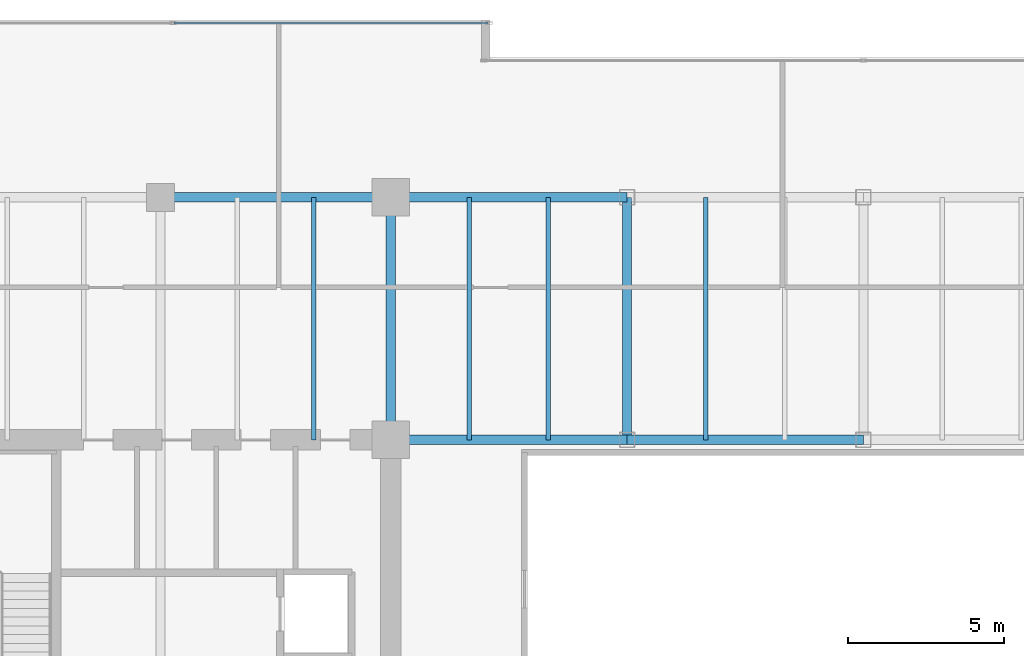
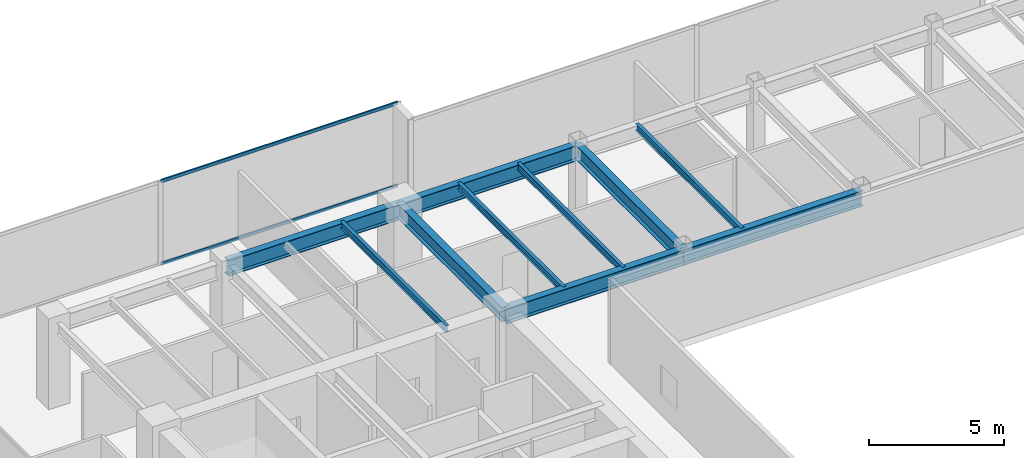
# One storey, part 15 of 30: 10 beams, 2 members, 1 element without a shape of its own.
"""IFC4 building model written with IfcOpenShell, lengths in metres."""

from ifc_helpers import new_model, si_unit, direction, frame, origin, origin_2d, place, context, subcontext, project, spatial, hollow_rectangle, i_section, extrude, source, transform, mapped, material, layer, layer_set, material_profile, profile_set, type_object, type_shapes, element, aggregate, save


model = new_model("IFC4")

# Units and contexts
model_context = context("Model", 3, precision=1e-05, world=origin(), true_north=direction((0.0, 1.0)))
body_context = subcontext(model_context, "Body", "Model", "MODEL_VIEW")
ifc_project = project(units=[si_unit("LENGTHUNIT", "METRE"), si_unit("AREAUNIT", "SQUARE_METRE"), si_unit("VOLUMEUNIT", "CUBIC_METRE"), si_unit("PLANEANGLEUNIT", "RADIAN"), si_unit("MASSUNIT", "GRAM", prefix="KILO")], contexts=[model_context])

# Site, building, storey
site_placement = place(None, origin())
site = spatial("IfcSite", under=ifc_project, at=site_placement, CompositionType="ELEMENT")
building_placement = place(site_placement, origin())
building = spatial("IfcBuilding", under=site, at=building_placement, Name="Haelvirn Gate Laboratories", CompositionType="ELEMENT")
storey_placement = place(building_placement, frame((0.0, 0.0, 121.5)))
storey = spatial("IfcBuildingStorey", under=building, at=storey_placement, Name="L29", CompositionType="ELEMENT", Elevation=121.5)

# Beams
ifc_material_1 = material(Name="Steel SM355", Category="steel")
ifc_material_profile_1 = material_profile(ifc_material_1, i_section(OverallWidth=0.300048828125, OverallDepth=0.64990234375, WebThickness=0.012939453125, FlangeThickness=0.02197265625, at=origin_2d()), Name="H-650x300x13x22")
ifc_profile_set_1 = profile_set([ifc_material_profile_1], Name="Steel SM355")
beam_type_1 = type_object("IfcBeamType", Name="BM-G-650", PredefinedType="BEAM", material=ifc_profile_set_1)
shared_shape_1 = source(origin(), body_context, "Body", "SweptSolid", [
    extrude(i_section(OverallWidth=0.300048828125, OverallDepth=0.64990234375, WebThickness=0.012939453125, FlangeThickness=0.02197265625, at=origin_2d()), origin(), (0.0, 0.0, 1.0), 7.800048828125),
])
type_shapes(beam_type_1, [shared_shape_1])
for number, where, z_axis, x_axis, name in (
    (1, (22.199951171875, 33.800048828125, 3.465087890625), (0.0, 1.0, 0.0), (-1.0, 0.0, 0.0), "L29 Frame Girder X22.2 (33.8-41.6)"),
    (2, (29.800048828125, 33.800048828125, 3.465087890625), (0.0, 1.0, 0.0), (-1.0, 0.0, 0.0), "L29 Frame Girder X29.8 (33.8-41.6)"),
):
    element("IfcBeam", number, at=place(storey_placement, frame(where, z_axis=z_axis, x_axis=x_axis)), inside=storey, type_object=beam_type_1, Name=name, PredefinedType="BEAM", context=body_context, shape_type="MappedRepresentation", body=[
        mapped(shared_shape_1, transform((0.0, 0.0, 0.0), scale=1.0)),
    ])
ifc_material_profile_2 = material_profile(ifc_material_1, i_section(OverallWidth=0.300048828125, OverallDepth=0.699951171875, WebThickness=0.012939453125, FlangeThickness=0.02392578125, at=origin_2d()), Name="H-700x300x13x24")
ifc_profile_set_2 = profile_set([ifc_material_profile_2], Name="Steel SM355")
beam_type_2 = type_object("IfcBeamType", Name="BM-G-700", PredefinedType="BEAM", material=ifc_profile_set_2)
shared_shape_2 = source(origin(), body_context, "Body", "SweptSolid", [
    extrude(i_section(OverallWidth=0.300048828125, OverallDepth=0.699951171875, WebThickness=0.012939453125, FlangeThickness=0.02392578125, at=origin_2d()), origin(), (0.0, 0.0, 1.0), 7.39990234375),
])
beam_1_placement = place(storey_placement, frame((14.800048828125, 41.60009765625, 3.43994140625), z_axis=(1.0, 0.0, 0.0), x_axis=(0.0, 1.0, 0.0)))
element("IfcBeam", 3, at=beam_1_placement, inside=storey, type_object=beam_type_2, Name="L29 Primary Girder Y41.6 (14.8-22.2)", PredefinedType="BEAM", context=body_context, shape_type="MappedRepresentation", body=[
    mapped(shared_shape_2, transform((0.0, 0.0, 0.0), scale=1.0)),
])
shared_shape_3 = source(origin(), body_context, "Body", "SweptSolid", [
    extrude(i_section(OverallWidth=0.300048828125, OverallDepth=0.699951171875, WebThickness=0.012939453125, FlangeThickness=0.02392578125, at=origin_2d()), origin(), (0.0, 0.0, 1.0), 7.60009765625),
])
for number, where, z_axis, x_axis, name in (
    (4, (22.199951171875, 33.800048828125, 3.43994140625), (1.0, 0.0, 0.0), (0.0, 1.0, 0.0), "L29 Primary Girder Y33.8 (22.2-29.8)"),
    (5, (22.199951171875, 41.60009765625, 3.43994140625), (1.0, 0.0, 0.0), (0.0, 1.0, 0.0), "L29 Primary Girder Y41.6 (22.2-29.8)"),
):
    element("IfcBeam", number, at=place(storey_placement, frame(where, z_axis=z_axis, x_axis=x_axis)), inside=storey, type_object=beam_type_2, Name=name, PredefinedType="BEAM", context=body_context, shape_type="MappedRepresentation", body=[
        mapped(shared_shape_3, transform((0.0, 0.0, 0.0), scale=1.0)),
    ])
shared_shape_4 = source(origin(), body_context, "Body", "SweptSolid", [
    extrude(i_section(OverallWidth=0.300048828125, OverallDepth=0.699951171875, WebThickness=0.012939453125, FlangeThickness=0.02392578125, at=origin_2d()), origin(), (0.0, 0.0, 1.0), 7.599853515625),
])
type_shapes(beam_type_2, [shared_shape_2, shared_shape_3, shared_shape_4])
beam_2_placement = place(storey_placement, frame((29.800048828125, 33.800048828125, 3.43994140625), z_axis=(1.0, 0.0, 0.0), x_axis=(0.0, 1.0, 0.0)))
element("IfcBeam", 6, at=beam_2_placement, inside=storey, type_object=beam_type_2, Name="L29 Primary Girder Y33.8 (29.8-37.4)", PredefinedType="BEAM", context=body_context, shape_type="MappedRepresentation", body=[
    mapped(shared_shape_4, transform((0.0, 0.0, 0.0), scale=1.0)),
])
ifc_material_profile_3 = material_profile(ifc_material_1, i_section(OverallWidth=0.14990234375, OverallDepth=0.300048828125, WebThickness=0.006591796875, FlangeThickness=0.009033203125, at=origin_2d()), Name="H-300x150x6.5x9")
ifc_profile_set_3 = profile_set([ifc_material_profile_3], Name="Steel SM355")
beam_type_3 = type_object("IfcBeamType", Name="BM-J-300", PredefinedType="JOIST", material=ifc_profile_set_3)
shared_shape_5 = source(origin(), body_context, "Body", "SweptSolid", [
    extrude(i_section(OverallWidth=0.14990234375, OverallDepth=0.300048828125, WebThickness=0.006591796875, FlangeThickness=0.009033203125, at=origin_2d()), origin(), (0.0, 0.0, 1.0), 7.800048828125),
])
type_shapes(beam_type_3, [shared_shape_5])
for number, where, z_axis, x_axis, name in (
    (7, (19.72998046875, 33.800048828125, 3.639892578125), (0.0, 1.0, 0.0), (-1.0, 0.0, 0.0), "L29 Composite Lab Joist North X19.73"),
    (8, (24.72998046875, 33.800048828125, 3.639892578125), (0.0, 1.0, 0.0), (-1.0, 0.0, 0.0), "L29 Composite Lab Joist North X24.73"),
    (9, (27.27001953125, 33.800048828125, 3.639892578125), (0.0, 1.0, 0.0), (-1.0, 0.0, 0.0), "L29 Composite Lab Joist North X27.27"),
    (10, (32.330078125, 33.800048828125, 3.639892578125), (0.0, 1.0, 0.0), (-1.0, 0.0, 0.0), "L29 Composite Lab Joist North X32.33"),
):
    element("IfcBeam", number, at=place(storey_placement, frame(where, z_axis=z_axis, x_axis=x_axis)), inside=storey, type_object=beam_type_3, Name=name, PredefinedType="JOIST", context=body_context, shape_type="MappedRepresentation", body=[
        mapped(shared_shape_5, transform((0.0, 0.0, 0.0), scale=1.0)),
    ])

# Curtain wall, members
ifc_material_2 = material(Name="Anodised bronze unitised aluminium & triple low-E glass", Category="aluminium")
ifc_layer = layer(ifc_material_2, 0.179931640625, Name="CW-SYS-3")
ifc_layer_set = layer_set([ifc_layer], Name="Anodised bronze unitised aluminium & triple low-E glass")
curtain_wall_type = type_object("IfcCurtainWallType", Name="CW-SYS-3", PredefinedType="NOTDEFINED", material=ifc_layer_set)
curtain_wall_placement = place(storey_placement, origin())
curtain_wall = element("IfcCurtainWall", 11, at=curtain_wall_placement, inside=storey, type_object=curtain_wall_type, Name="L29 Unitised Curtain Wall CW-L29-P0-E14-1", PredefinedType="NOTDEFINED")
ifc_material_3 = material(Name="Extruded aluminium 6063-T6 (anodised bronze)", Category="aluminium")
ifc_material_profile_4 = material_profile(ifc_material_3, hollow_rectangle(XDim=0.06494140625, YDim=0.139892578125, WallThickness=0.00390625, at=origin_2d()), Name="CWT-140x65x4")
ifc_profile_set_4 = profile_set([ifc_material_profile_4], Name="Extruded aluminium 6063-T6 (anodised bronze)")
member_type = type_object("IfcMemberType", Name="CWT-T140", PredefinedType="USERDEFINED", material=ifc_profile_set_4)
shared_shape_6 = source(origin(), body_context, "Body", "SweptSolid", [
    extrude(hollow_rectangle(XDim=0.06494140625, YDim=0.139892578125, WallThickness=0.00390625, at=origin_2d()), origin(), (0.0, 0.0, 1.0), 10.08740234375),
])
type_shapes(member_type, [shared_shape_6])
member_1_placement = place(storey_placement, frame((15.237548828125, 47.199951171875, 0.032470703125), z_axis=(1.0, 0.0, 0.0), x_axis=(0.0, 1.0, 0.0)))
member_1 = element("IfcMember", 12, at=member_1_placement, type_object=member_type, Name="CW3 transom 2.1", ObjectType="TRANSOM", PredefinedType="USERDEFINED", context=body_context, shape_type="MappedRepresentation", body=[
    mapped(shared_shape_6, transform((0.0, 0.0, 0.0), scale=1.0)),
])
member_2_placement = place(storey_placement, frame((15.237548828125, 47.199951171875, 3.757568359375), z_axis=(1.0, 0.0, 0.0), x_axis=(0.0, 1.0, 0.0)))
member_2 = element("IfcMember", 13, at=member_2_placement, type_object=member_type, Name="CW3 transom 2.2", ObjectType="TRANSOM", PredefinedType="USERDEFINED", context=body_context, shape_type="MappedRepresentation", body=[
    mapped(shared_shape_6, transform((0.0, 0.0, 0.0), scale=1.0)),
])
aggregate(curtain_wall, [member_1, member_2])

save(model, "model.ifc")
